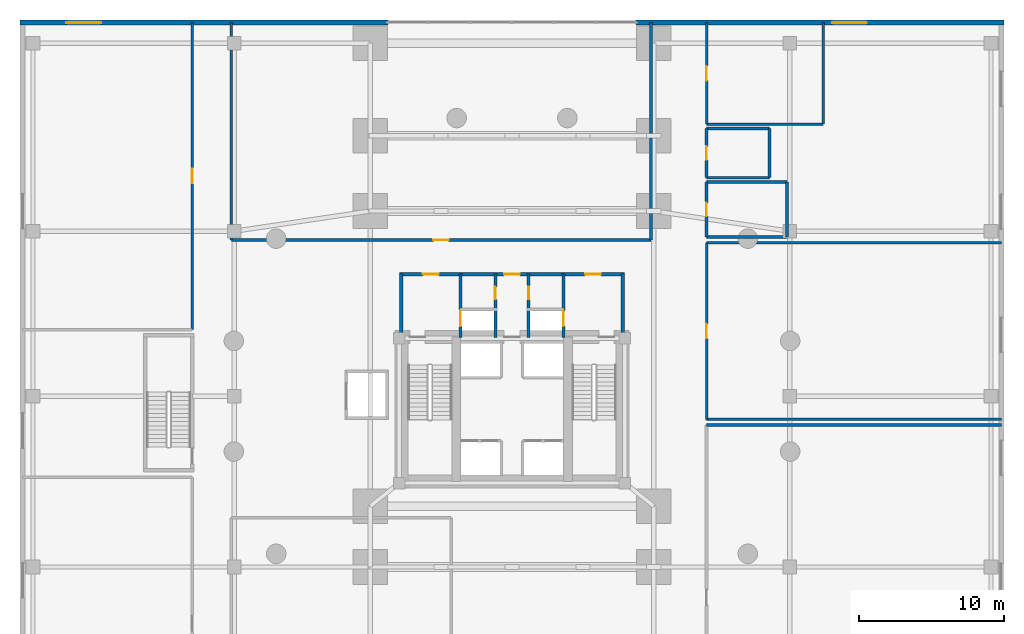
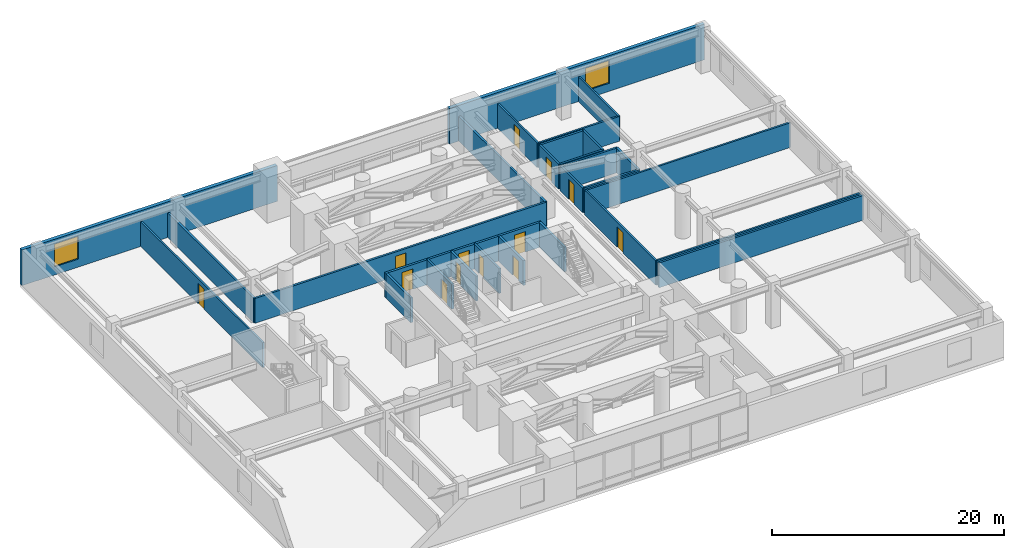
# One storey, part 15 of 17: 30 walls, 13 doors, 2 windows, 15 openings.
"""IFC4 building model written with IfcOpenShell, lengths in metres."""

import ifcopenshell
import ifcopenshell.guid

model = None  # the IFC model being written
_history = None  # IfcOwnerHistory: only IFC2X3 demands one
_inside = {}  # id of a spatial element -> (the spatial element, [elements in it])
_under = {}  # id of a project, library or spatial element -> (it, [spatial elements below it])
_declared = {}  # id of a project -> (the project, [libraries it declares])
_typed = {}  # id of a type object -> (the type object, [elements of that type])
_made_of = {}  # id of a material, layer set ... -> (it, [elements and type objects made of it])


def new_model(schema):
    """Start an empty IFC model of exactly this schema.

    Asked for "IFC4X3", IfcOpenShell would pick the latest addendum, in which some entities
    have other attributes; the version numbers below select the first issue.
    IFC2X3 requires an IfcOwnerHistory on every rooted entity: one is made here for all.
    """
    global model, _history
    if schema == "IFC4X3":
        model = ifcopenshell.file(schema_version=(4, 3, 0, 0))
    else:
        model = ifcopenshell.file(schema=schema)
    _inside.clear()
    _under.clear()
    _declared.clear()
    _typed.clear()
    _made_of.clear()
    _history = None
    if model.schema == "IFC2X3":
        org = make("IfcOrganization", Name="unknown")
        user = make(
            "IfcPersonAndOrganization",
            ThePerson=make("IfcPerson", FamilyName="unknown"),
            TheOrganization=org,
        )
        app = make(
            "IfcApplication",
            ApplicationDeveloper=org,
            Version="unknown",
            ApplicationFullName="unknown",
            ApplicationIdentifier="unknown",
        )
        _history = make(
            "IfcOwnerHistory",
            OwningUser=user,
            OwningApplication=app,
            ChangeAction="ADDED",
            CreationDate=0,
        )
    return model


def make(cls, **values):
    """One entity of the class cls with the attributes given. An attribute that is None is left unset."""
    return model.create_entity(
        cls, **{name: value for name, value in values.items() if value is not None}
    )


def rooted(cls, **values):
    """An entity with a GlobalId (a new one), such as an element, a storey or a relation."""
    return make(cls, GlobalId=ifcopenshell.guid.new(), OwnerHistory=_history, **values)


def si_unit(unit_type, name, prefix=None):
    """IfcSIUnit, for example si_unit("LENGTHUNIT", "METRE", prefix="MILLI")."""
    return make("IfcSIUnit", UnitType=unit_type, Prefix=prefix, Name=name)


def assignment(units):
    """IfcUnitAssignment: the units of a project."""
    return None if units is None else make("IfcUnitAssignment", Units=units)


def point(xyz):
    """IfcCartesianPoint."""
    return None if xyz is None else make("IfcCartesianPoint", Coordinates=xyz)


def direction(xyz):
    """IfcDirection."""
    return None if xyz is None else make("IfcDirection", DirectionRatios=xyz)


def frame(location, z_axis=None, x_axis=None):
    """IfcAxis2Placement3D, a coordinate frame: its origin and axes. An axis left out is left unset."""
    return make(
        "IfcAxis2Placement3D",
        Location=point(location),
        Axis=direction(z_axis),
        RefDirection=direction(x_axis),
    )


def frame_2d(location, x_axis=None):
    """IfcAxis2Placement2D, a coordinate frame in the plane: its origin and x axis."""
    return make(
        "IfcAxis2Placement2D", Location=point(location), RefDirection=direction(x_axis)
    )


def origin():
    """The frame at (0, 0, 0) with its axes left unset."""
    return frame((0.0, 0.0, 0.0))


def place(relative_to, where):
    """IfcLocalPlacement: puts the frame where relative to a parent placement (None: the world)."""
    return make(
        "IfcLocalPlacement", PlacementRelTo=relative_to, RelativePlacement=where
    )


def context(
    kind, dimensions, precision=None, world=None, true_north=None, identifier=None
):
    """IfcGeometricRepresentationContext, for example the 3D "Model" context."""
    return make(
        "IfcGeometricRepresentationContext",
        ContextIdentifier=identifier,
        ContextType=kind,
        CoordinateSpaceDimension=dimensions,
        Precision=precision,
        WorldCoordinateSystem=world,
        TrueNorth=true_north,
    )


def subcontext(parent, identifier, kind, view, scale=None):
    """IfcGeometricRepresentationSubContext, for example "Body" below "Model"."""
    return make(
        "IfcGeometricRepresentationSubContext",
        ContextIdentifier=identifier,
        ContextType=kind,
        ParentContext=parent,
        TargetScale=scale,
        TargetView=view,
    )


def project(units=None, contexts=None):
    """IfcProject with its units and contexts."""
    return rooted(
        "IfcProject",
        Name="project",
        RepresentationContexts=contexts,
        UnitsInContext=assignment(units),
    )


def spatial(cls, under=None, at=None, **own):
    """A site, building, storey or space (cls), placed at a placement, below another one or the project."""
    s = rooted(cls, ObjectPlacement=at, **own)
    if under is not None:
        _under.setdefault(under.id(), (under, []))[1].append(s)
    return s


def profile(cls, at=None, kind="AREA", **sizes):
    """A parametric profile (cls). Its sizes go by their IFC names, for example OverallWidth=200.0."""
    return make(cls, ProfileType=kind, Position=at, **sizes)


def rectangle(**sizes):
    """IfcRectangleProfileDef."""
    return profile("IfcRectangleProfileDef", **sizes)


def extrude(swept, where, along, depth):
    """IfcExtrudedAreaSolid: the profile swept, set in the frame where, extruded along a direction by depth."""
    return make(
        "IfcExtrudedAreaSolid",
        SweptArea=swept,
        Position=where,
        ExtrudedDirection=direction(along),
        Depth=depth,
    )


def shape(context_of_items, identifier, shape_type, items):
    """IfcShapeRepresentation: the items that make up one representation, for example the "Body"."""
    return make(
        "IfcShapeRepresentation",
        ContextOfItems=context_of_items,
        RepresentationIdentifier=identifier,
        RepresentationType=shape_type,
        Items=items,
    )


def material(Name=None, Category=None):
    """IfcMaterial."""
    return make("IfcMaterial", Name=Name, Category=Category)


def layer(
    of_material, thickness, ventilated=None, Name=None, Category=None, Priority=None
):
    """IfcMaterialLayer: one layer of a wall or slab, of a material (None: an air gap)."""
    return make(
        "IfcMaterialLayer",
        Material=of_material,
        LayerThickness=thickness,
        IsVentilated=ventilated,
        Name=Name,
        Category=Category,
        Priority=Priority,
    )


def layer_set(layers, Name=None):
    """IfcMaterialLayerSet."""
    return make("IfcMaterialLayerSet", MaterialLayers=layers, LayerSetName=Name)


def made_of(thing, what):
    """Note that an element or type object is made of a material, layer set ...; save() writes the relation."""
    if what is not None:
        _made_of.setdefault(what.id(), (what, []))[1].append(thing)
    return thing


def type_object(cls, material=None, **own):
    """A type object (cls), such as IfcWallType, which elements share."""
    return made_of(rooted(cls, **own), material)


def element(
    cls,
    number,
    at=None,
    inside=None,
    cuts=None,
    type_object=None,
    material=None,
    context=None,
    identifier="Body",
    shape_type=None,
    held_by="IfcProductDefinitionShape",
    body=None,
    shapes=None,
    **own,
):
    """One element of the class cls, such as IfcWall. Its Tag is "e" and its number.

    at: its placement. inside: the storey or other place that contains it. cuts: it is an
    opening in that element (IfcRelVoidsElement). A single representation is given by context,
    identifier, shape_type and body (its items); several are given by shapes. held_by: the class
    of the entity that holds the representations. save() writes the other relations.
    """
    e = rooted(cls, Tag="e%d" % number, ObjectPlacement=at, **own)
    if body is not None:
        shapes = [shape(context, identifier, shape_type, body)]
    if shapes is not None:
        e.Representation = make(held_by, Representations=shapes)
    if inside is not None:
        _inside.setdefault(inside.id(), (inside, []))[1].append(e)
    if cuts is not None:
        rooted(
            "IfcRelVoidsElement", RelatingBuildingElement=cuts, RelatedOpeningElement=e
        )
    if type_object is not None:
        _typed.setdefault(type_object.id(), (type_object, []))[1].append(e)
    return made_of(e, material)


def fill(opening, filler):
    """IfcRelFillsElement: the door or window that sits in an opening."""
    return rooted(
        "IfcRelFillsElement",
        RelatingOpeningElement=opening,
        RelatedBuildingElement=filler,
    )


def aggregate(whole, parts):
    """IfcRelAggregates: a whole, such as a stair, and the parts it consists of."""
    return rooted("IfcRelAggregates", RelatingObject=whole, RelatedObjects=parts)


def save(model, path):
    """Write the relations noted so far, then the file.

    IfcRelAggregates (storeys below a building ...), IfcRelContainedInSpatialStructure (elements
    in a storey), IfcRelDefinesByType, IfcRelAssociatesMaterial and IfcRelDeclares: one each for
    every whole, place, type object, material and project.
    """
    for whole, parts in _under.values():
        aggregate(whole, parts)
    for where, things in _inside.values():
        rooted(
            "IfcRelContainedInSpatialStructure",
            RelatedElements=things,
            RelatingStructure=where,
        )
    for kind, things in _typed.values():
        rooted("IfcRelDefinesByType", RelatedObjects=things, RelatingType=kind)
    for what, things in _made_of.values():
        rooted("IfcRelAssociatesMaterial", RelatedObjects=things, RelatingMaterial=what)
    for by, libraries in _declared.values():
        rooted("IfcRelDeclares", RelatingContext=by, RelatedDefinitions=libraries)
    model.write(path)


model = new_model("IFC4")

# Units and contexts
model_context = context("Model", 3, precision=1e-05, world=origin(), true_north=direction((0.0, 1.0)))
body_context = subcontext(model_context, "Body", "Model", "MODEL_VIEW")
ifc_project = project(units=[si_unit("LENGTHUNIT", "METRE"), si_unit("AREAUNIT", "SQUARE_METRE"), si_unit("VOLUMEUNIT", "CUBIC_METRE"), si_unit("PLANEANGLEUNIT", "RADIAN"), si_unit("MASSUNIT", "GRAM", prefix="KILO"), si_unit("THERMODYNAMICTEMPERATUREUNIT", "KELVIN"), si_unit("POWERUNIT", "WATT")], contexts=[model_context])

# Site, building, storey
site_placement = place(None, origin())
site = spatial("IfcSite", under=ifc_project, at=site_placement, CompositionType="ELEMENT")
building_placement = place(site_placement, origin())
building = spatial("IfcBuilding", under=site, at=building_placement, Name="Ocrelia Relay Tower", CompositionType="ELEMENT")
storey_placement = place(building_placement, frame((0.0, 0.0, 15.60009765625)))
storey = spatial("IfcBuildingStorey", under=building, at=storey_placement, Name="L03", CompositionType="ELEMENT", Elevation=15.60009765625)

# Wall, opening, door
ifc_material_1 = material(Name="Gypsum Fireboard Partition EI60", Category="gypsum")
ifc_layer_1 = layer(ifc_material_1, 0.179931640625, Name="Gypsum Fireboard Partition EI60")
ifc_layer_set_1 = layer_set([ifc_layer_1], Name="Gypsum Fireboard Partition EI60")
wall_type_1 = type_object("IfcWallType", Name="W-CORR-EI60-180", PredefinedType="PARTITIONING", material=ifc_layer_set_1)
wall_1_placement = place(storey_placement, frame((11.89990234375, 30.60009765625, 0.0), z_axis=(0.0, 0.0, 1.0), x_axis=(0.0, 1.0, 0.0)))
wall_1 = element("IfcWall", 1, at=wall_1_placement, inside=storey, type_object=wall_type_1, Name="L03 Power Systems Engineering Office E Partition", PredefinedType="PARTITIONING", context=body_context, shape_type="SweptSolid", body=[
    extrude(rectangle(XDim=21.219970703125, YDim=0.179931640625, at=frame_2d((10.60986328125, 0.0))), origin(), (0.0, 0.0, 1.0), 2.60986328125),
])
opening_1_placement = place(wall_1_placement, frame((10.110107421875, 0.0, 0.0)))
opening_1 = element("IfcOpeningElement", 2, at=opening_1_placement, cuts=wall_1, Name="Opening D-RM100", PredefinedType="OPENING", context=body_context, shape_type="SweptSolid", body=[
    extrude(rectangle(XDim=1.0, YDim=2.14990234375, at=frame_2d((0.5, 1.074951171875))), frame((0.0, 0.10009765625, 0.0), z_axis=(0.0, -1.0, 0.0), x_axis=(1.0, 0.0, 0.0)), (0.0, 0.0, 1.0), 0.199951171875),
])
ifc_material_2 = material(Name="Acoustic oak veneer fire door", Category="wood")
door_type_1 = type_object("IfcDoorType", Name="DR-ROOM-FD60-1000", OperationType="NOTDEFINED", PredefinedType="DOOR", material=ifc_material_2)
door_1_placement = place(opening_1_placement, origin())
door_1 = element("IfcDoor", 3, at=door_1_placement, inside=storey, type_object=door_type_1, Name="L03 Power Systems Engineering Office Door", OperationType="SINGLE_SWING_RIGHT", OverallHeight=2.14990234375, OverallWidth=1.0, PredefinedType="DOOR", context=body_context, shape_type="SweptSolid", body=[
    extrude(rectangle(XDim=1.0, YDim=2.14990234375, at=frame_2d((0.5, 1.074951171875))), frame((0.0, 0.02490234375, 0.0), z_axis=(0.0, -1.0, 0.0), x_axis=(1.0, 0.0, 0.0)), (0.0, 0.0, 1.0), 0.050048828125),
])
fill(opening_1, door_1)

wall_2_placement = place(storey_placement, frame((47.449951171875, 36.60009765625, 0.0), z_axis=(0.0, 0.0, 1.0), x_axis=(0.0, -1.0, 0.0)))
wall_2 = element("IfcWall", 4, at=wall_2_placement, inside=storey, type_object=wall_type_1, Name="L03 Protection Relay Testing Laboratory W Partition", PredefinedType="PARTITIONING", context=body_context, shape_type="SweptSolid", body=[
    extrude(rectangle(XDim=12.2001953125, YDim=0.179931640625, at=frame_2d((6.10009765625, 0.0))), origin(), (0.0, 0.0, 1.0), 2.60986328125),
])
opening_2_placement = place(wall_2_placement, frame((5.60009765625, 0.0, 0.0)))
opening_2 = element("IfcOpeningElement", 5, at=opening_2_placement, cuts=wall_2, Name="Opening D-RM100", PredefinedType="OPENING", context=body_context, shape_type="SweptSolid", body=[
    extrude(rectangle(XDim=1.0, YDim=2.14990234375, at=frame_2d((0.5, 1.074951171875))), frame((0.0, 0.10009765625, 0.0), z_axis=(0.0, -1.0, 0.0), x_axis=(1.0, 0.0, 0.0)), (0.0, 0.0, 1.0), 0.199951171875),
])
door_2_placement = place(opening_2_placement, origin())
door_2 = element("IfcDoor", 6, at=door_2_placement, inside=storey, type_object=door_type_1, Name="L03 Protection Relay Testing Laboratory Door", OperationType="SINGLE_SWING_RIGHT", OverallHeight=2.14990234375, OverallWidth=1.0, PredefinedType="DOOR", context=body_context, shape_type="SweptSolid", body=[
    extrude(rectangle(XDim=1.0, YDim=2.14990234375, at=frame_2d((0.5, 1.074951171875))), frame((0.0, 0.02490234375, 0.0), z_axis=(0.0, -1.0, 0.0), x_axis=(1.0, 0.0, 0.0)), (0.0, 0.0, 1.0), 0.050048828125),
])
fill(opening_2, door_2)

# Walls
for number, where, z_axis, x_axis, name in (
    (7, (47.449951171875, 24.39990234375, 0.0), (0.0, 0.0, 1.0), (1.0, 0.0, 0.0), "L03 Protection Relay Testing Laboratory S Partition"),
    (8, (67.820068359375, 36.60009765625, 0.0), (0.0, 0.0, 1.0), (-1.0, 0.0, 0.0), "L03 Protection Relay Testing Laboratory N Partition"),
):
    element("IfcWall", number, at=place(storey_placement, frame(where, z_axis=z_axis, x_axis=x_axis)), inside=storey, type_object=wall_type_1, Name=name, PredefinedType="PARTITIONING", context=body_context, shape_type="SweptSolid", body=[
        extrude(rectangle(XDim=20.3701171875, YDim=0.179931640625, at=frame_2d((10.18505859375, 0.0))), origin(), (0.0, 0.0, 1.0), 2.60986328125),
    ])

# Wall, opening, door
wall_3_placement = place(storey_placement, frame((47.449951171875, 51.820068359375, 0.0), z_axis=(0.0, 0.0, 1.0), x_axis=(0.0, -1.0, 0.0)))
wall_3 = element("IfcWall", 9, at=wall_3_placement, inside=storey, type_object=wall_type_1, Name="L03 Engineering Break Study W Partition", PredefinedType="PARTITIONING", context=body_context, shape_type="SweptSolid", body=[
    extrude(rectangle(XDim=7.02001953125, YDim=0.179931640625, at=frame_2d((3.510009765625, 0.0))), origin(), (0.0, 0.0, 1.0), 2.60986328125),
])
opening_3_placement = place(wall_3_placement, frame((3.010009765625, 0.0, 0.0)))
opening_3 = element("IfcOpeningElement", 10, at=opening_3_placement, cuts=wall_3, Name="Opening D-RM100", PredefinedType="OPENING", context=body_context, shape_type="SweptSolid", body=[
    extrude(rectangle(XDim=1.0, YDim=2.14990234375, at=frame_2d((0.5, 1.074951171875))), frame((0.0, 0.10009765625, 0.0), z_axis=(0.0, -1.0, 0.0), x_axis=(1.0, 0.0, 0.0)), (0.0, 0.0, 1.0), 0.199951171875),
])
door_3_placement = place(opening_3_placement, origin())
door_3 = element("IfcDoor", 11, at=door_3_placement, inside=storey, type_object=door_type_1, Name="L03 Engineering Break Study Door", OperationType="SINGLE_SWING_LEFT", OverallHeight=2.14990234375, OverallWidth=1.0, PredefinedType="DOOR", context=body_context, shape_type="SweptSolid", body=[
    extrude(rectangle(XDim=1.0, YDim=2.14990234375, at=frame_2d((0.5, 1.074951171875))), frame((0.0, 0.02490234375, 0.0), z_axis=(0.0, -1.0, 0.0), x_axis=(1.0, 0.0, 0.0)), (0.0, 0.0, 1.0), 0.050048828125),
])
fill(opening_3, door_3)

# Walls
wall_4_placement = place(storey_placement, frame((47.449951171875, 44.800048828125, 0.0), z_axis=(0.0, 0.0, 1.0), x_axis=(1.0, 0.0, 0.0)))
element("IfcWall", 12, at=wall_4_placement, inside=storey, type_object=wall_type_1, Name="L03 Engineering Break Study S Partition", PredefinedType="PARTITIONING", context=body_context, shape_type="SweptSolid", body=[
    extrude(rectangle(XDim=8.050048828125, YDim=0.179931640625, at=frame_2d((4.02490234375, 0.0))), origin(), (0.0, 0.0, 1.0), 2.60986328125),
])
wall_5_placement = place(storey_placement, frame((55.5, 44.800048828125, 0.0), z_axis=(0.0, 0.0, 1.0), x_axis=(0.0, 1.0, 0.0)))
element("IfcWall", 13, at=wall_5_placement, inside=storey, type_object=wall_type_1, Name="L03 Engineering Break Study E Partition", PredefinedType="PARTITIONING", context=body_context, shape_type="SweptSolid", body=[
    extrude(rectangle(XDim=7.02001953125, YDim=0.179931640625, at=frame_2d((3.510009765625, 0.0))), origin(), (0.0, 0.0, 1.0), 2.60986328125),
])

# Wall, opening, window
ifc_material_3 = material(Name="Precast concrete C40/50 with oxide terracotta", Category="masonry")
ifc_layer_2 = layer(ifc_material_3, 0.35009765625, Name="Precast concrete C40/50 with oxide terracotta")
ifc_layer_set_2 = layer_set([ifc_layer_2], Name="Precast concrete C40/50 with oxide terracotta")
wall_type_2 = type_object("IfcWallType", Name="W-EXT-POD-350", PredefinedType="SOLIDWALL", material=ifc_layer_set_2)
wall_6_placement = place(storey_placement, frame((0.010009765625, 51.820068359375, 0.0), z_axis=(0.0, 0.0, 1.0), x_axis=(1.0, 0.0, 0.0)))
wall_6 = element("IfcWall", 14, at=wall_6_placement, inside=storey, type_object=wall_type_2, Name="L03 Oxide Terracotta Podium Wall WN", PredefinedType="SOLIDWALL", context=body_context, shape_type="SweptSolid", body=[
    extrude(rectangle(XDim=25.419921875, YDim=0.35009765625, at=frame_2d((12.7099609375, 0.0))), origin(), (0.0, 0.0, 1.0), 3.760009765625),
])
opening_4_placement = place(wall_6_placement, frame((3.199951171875, 0.0, 0.85009765625)))
opening_4 = element("IfcOpeningElement", 15, at=opening_4_placement, cuts=wall_6, Name="Opening W-01", PredefinedType="OPENING", context=body_context, shape_type="SweptSolid", body=[
    extrude(rectangle(XDim=2.39990234375, YDim=2.39990234375, at=frame_2d((1.199951171875, 1.199951171875))), frame((0.0, 0.18505859375, 0.0), z_axis=(0.0, -1.0, 0.0), x_axis=(1.0, 0.0, 0.0)), (0.0, 0.0, 1.0), 0.3701171875),
])
ifc_material_4 = material(Name="Clear double-glazed low-E glass", Category="glass")
window_type = type_object("IfcWindowType", Name="WIN-POD-2400x2600", PartitioningType="SINGLE_PANEL", PredefinedType="WINDOW", material=ifc_material_4)
window_1_placement = place(opening_4_placement, origin())
window_1 = element("IfcWindow", 16, at=window_1_placement, inside=storey, type_object=window_type, Name="L03 Podium Punched Window WN-1", OverallHeight=2.39990234375, OverallWidth=2.39990234375, PartitioningType="SINGLE_PANEL", PredefinedType="WINDOW", context=body_context, shape_type="SweptSolid", body=[
    extrude(rectangle(XDim=2.39990234375, YDim=2.39990234375, at=frame_2d((1.199951171875, 1.199951171875))), frame((0.0, 0.030029296875, 0.0), z_axis=(0.0, -1.0, 0.0), x_axis=(1.0, 0.0, 0.0)), (0.0, 0.0, 1.0), 0.06005859375),
])
fill(opening_4, window_1)

wall_7_placement = place(storey_placement, frame((42.570068359375, 51.820068359375, 0.0), z_axis=(0.0, 0.0, 1.0), x_axis=(1.0, 0.0, 0.0)))
wall_7 = element("IfcWall", 17, at=wall_7_placement, inside=storey, type_object=wall_type_2, Name="L03 Oxide Terracotta Podium Wall EN", PredefinedType="SOLIDWALL", context=body_context, shape_type="SweptSolid", body=[
    extrude(rectangle(XDim=25.419921875, YDim=0.35009765625, at=frame_2d((12.7099609375, 0.0))), origin(), (0.0, 0.0, 1.0), 3.760009765625),
])
opening_5_placement = place(wall_7_placement, frame((13.550048828125, 0.0, 0.85009765625)))
opening_5 = element("IfcOpeningElement", 18, at=opening_5_placement, cuts=wall_7, Name="Opening W-01", PredefinedType="OPENING", context=body_context, shape_type="SweptSolid", body=[
    extrude(rectangle(XDim=2.39990234375, YDim=2.39990234375, at=frame_2d((1.199951171875, 1.199951171875))), frame((0.0, 0.18505859375, 0.0), z_axis=(0.0, -1.0, 0.0), x_axis=(1.0, 0.0, 0.0)), (0.0, 0.0, 1.0), 0.3701171875),
])
window_2_placement = place(opening_5_placement, origin())
window_2 = element("IfcWindow", 19, at=window_2_placement, inside=storey, type_object=window_type, Name="L03 Podium Punched Window EN-2", OverallHeight=2.39990234375, OverallWidth=2.39990234375, PartitioningType="SINGLE_PANEL", PredefinedType="WINDOW", context=body_context, shape_type="SweptSolid", body=[
    extrude(rectangle(XDim=2.39990234375, YDim=2.39990234375, at=frame_2d((1.199951171875, 1.199951171875))), frame((0.0, 0.030029296875, 0.0), z_axis=(0.0, -1.0, 0.0), x_axis=(1.0, 0.0, 0.0)), (0.0, 0.0, 1.0), 0.06005859375),
])
fill(opening_5, window_2)

# Wall
ifc_material_5 = material(Name="Concrete C50/60", Category="concrete")
ifc_layer_3 = layer(ifc_material_5, 0.219970703125, Name="Concrete C50/60")
ifc_layer_set_3 = layer_set([ifc_layer_3], Name="Concrete C50/60")
wall_type_3 = type_object("IfcWallType", Name="W-FFL-EI120-220", PredefinedType="SOLIDWALL", material=ifc_layer_set_3)
wall_8_placement = place(storey_placement, frame((26.35009765625, 30.050048828125, 0.0), z_axis=(0.0, 0.0, 1.0), x_axis=(0.0, 1.0, 0.0)))
element("IfcWall", 20, at=wall_8_placement, inside=storey, type_object=wall_type_3, Name="L03 W Fire Service Lift Lobby West Wall", PredefinedType="SOLIDWALL", context=body_context, shape_type="SweptSolid", body=[
    extrude(rectangle(XDim=4.3798828125, YDim=0.219970703125, at=frame_2d((2.18994140625, 0.0))), origin(), (0.0, 0.0, 1.0), 2.60986328125),
])

# Wall, opening, door
wall_9_placement = place(storey_placement, frame((30.43994140625, 30.050048828125, 0.0), z_axis=(0.0, 0.0, 1.0), x_axis=(0.0, 1.0, 0.0)))
wall_9 = element("IfcWall", 21, at=wall_9_placement, inside=storey, type_object=wall_type_3, Name="L03 W Fire Service Lift Lobby East Wall", PredefinedType="SOLIDWALL", context=body_context, shape_type="SweptSolid", body=[
    extrude(rectangle(XDim=4.3798828125, YDim=0.219970703125, at=frame_2d((2.18994140625, 0.0))), origin(), (0.0, 0.0, 1.0), 2.60986328125),
])
opening_6_placement = place(wall_9_placement, frame((0.800048828125, 0.0, 0.0)))
opening_6 = element("IfcOpeningElement", 22, at=opening_6_placement, cuts=wall_9, Name="Opening LD-FFL1", PredefinedType="OPENING", context=body_context, shape_type="SweptSolid", body=[
    extrude(rectangle(XDim=1.050048828125, YDim=2.10009765625, at=frame_2d((0.52490234375, 1.050048828125))), frame((0.0, 0.1201171875, 0.0), z_axis=(0.0, -1.0, 0.0), x_axis=(1.0, 0.0, 0.0)), (0.0, 0.0, 1.0), 0.239990234375),
])
ifc_material_6 = material(Name="Brushed stainless steel S355 lift landing door", Category="steel")
door_type_2 = type_object("IfcDoorType", Name="DR-LIFT-LAND-1050", OperationType="DOUBLE_DOOR_SLIDING", PredefinedType="USERDEFINED", material=ifc_material_6)
door_4_placement = place(opening_6_placement, origin())
door_4 = element("IfcDoor", 23, at=door_4_placement, inside=storey, type_object=door_type_2, Name="L03 Firefighting Lift FFL1 Sliding Landing Door", ObjectType="LANDING DOOR", OperationType="DOUBLE_DOOR_SLIDING", OverallHeight=2.10009765625, OverallWidth=1.050048828125, PredefinedType="USERDEFINED", context=body_context, shape_type="SweptSolid", body=[
    extrude(rectangle(XDim=1.050048828125, YDim=2.10009765625, at=frame_2d((0.52490234375, 1.050048828125))), frame((0.0, 0.02490234375, 0.0), z_axis=(0.0, -1.0, 0.0), x_axis=(1.0, 0.0, 0.0)), (0.0, 0.0, 1.0), 0.050048828125),
])
fill(opening_6, door_4)

wall_10_placement = place(storey_placement, frame((26.239990234375, 34.429931640625, 0.0), z_axis=(0.0, 0.0, 1.0), x_axis=(1.0, 0.0, 0.0)))
wall_10 = element("IfcWall", 24, at=wall_10_placement, inside=storey, type_object=wall_type_3, Name="L03 W Fire Service Lift Lobby North Wall", PredefinedType="SOLIDWALL", context=body_context, shape_type="SweptSolid", body=[
    extrude(rectangle(XDim=4.31005859375, YDim=0.219970703125, at=frame_2d((2.155029296875, 0.0))), origin(), (0.0, 0.0, 1.0), 2.60986328125),
])
opening_7_placement = place(wall_10_placement, frame((1.60009765625, 0.0, 0.0)))
opening_7 = element("IfcOpeningElement", 25, at=opening_7_placement, cuts=wall_10, Name="Opening D-FD60", PredefinedType="OPENING", context=body_context, shape_type="SweptSolid", body=[
    extrude(rectangle(XDim=1.10009765625, YDim=2.14990234375, at=frame_2d((0.550048828125, 1.074951171875))), frame((0.0, 0.1201171875, 0.0), z_axis=(0.0, -1.0, 0.0), x_axis=(1.0, 0.0, 0.0)), (0.0, 0.0, 1.0), 0.239990234375),
])
ifc_material_7 = material(Name="Timber-core 60-min acoustic fire door", Category="wood")
door_type_3 = type_object("IfcDoorType", Name="DR-LOBBY-FD60-1100", OperationType="NOTDEFINED", PredefinedType="DOOR", material=ifc_material_7)
door_5_placement = place(opening_7_placement, origin())
door_5 = element("IfcDoor", 26, at=door_5_placement, inside=storey, type_object=door_type_3, Name="L03 W Fire Service Lift Lobby Exit Door", OperationType="SINGLE_SWING_LEFT", OverallHeight=2.14990234375, OverallWidth=1.10009765625, PredefinedType="DOOR", context=body_context, shape_type="SweptSolid", body=[
    extrude(rectangle(XDim=1.10009765625, YDim=2.14990234375, at=frame_2d((0.550048828125, 1.074951171875))), frame((0.0, 0.02490234375, 0.0), z_axis=(0.0, -1.0, 0.0), x_axis=(1.0, 0.0, 0.0)), (0.0, 0.0, 1.0), 0.050048828125),
])
fill(opening_7, door_5)

wall_11_placement = place(storey_placement, frame((37.56005859375, 30.050048828125, 0.0), z_axis=(0.0, 0.0, 1.0), x_axis=(0.0, 1.0, 0.0)))
wall_11 = element("IfcWall", 27, at=wall_11_placement, inside=storey, type_object=wall_type_3, Name="L03 E Fire Service Lift Lobby West Wall", PredefinedType="SOLIDWALL", context=body_context, shape_type="SweptSolid", body=[
    extrude(rectangle(XDim=4.3798828125, YDim=0.219970703125, at=frame_2d((2.18994140625, 0.0))), origin(), (0.0, 0.0, 1.0), 2.60986328125),
])
opening_8_placement = place(wall_11_placement, frame((0.800048828125, 0.0, 0.0)))
opening_8 = element("IfcOpeningElement", 28, at=opening_8_placement, cuts=wall_11, Name="Opening LD-FFL2", PredefinedType="OPENING", context=body_context, shape_type="SweptSolid", body=[
    extrude(rectangle(XDim=1.050048828125, YDim=2.10009765625, at=frame_2d((0.52490234375, 1.050048828125))), frame((0.0, 0.1201171875, 0.0), z_axis=(0.0, -1.0, 0.0), x_axis=(1.0, 0.0, 0.0)), (0.0, 0.0, 1.0), 0.239990234375),
])
door_6_placement = place(opening_8_placement, origin())
door_6 = element("IfcDoor", 29, at=door_6_placement, inside=storey, type_object=door_type_2, Name="L03 Firefighting Lift FFL2 Sliding Landing Door", ObjectType="LANDING DOOR", OperationType="DOUBLE_DOOR_SLIDING", OverallHeight=2.10009765625, OverallWidth=1.050048828125, PredefinedType="USERDEFINED", context=body_context, shape_type="SweptSolid", body=[
    extrude(rectangle(XDim=1.050048828125, YDim=2.10009765625, at=frame_2d((0.52490234375, 1.050048828125))), frame((0.0, 0.02490234375, 0.0), z_axis=(0.0, -1.0, 0.0), x_axis=(1.0, 0.0, 0.0)), (0.0, 0.0, 1.0), 0.050048828125),
])
fill(opening_8, door_6)

# Wall
wall_12_placement = place(storey_placement, frame((41.64990234375, 30.050048828125, 0.0), z_axis=(0.0, 0.0, 1.0), x_axis=(0.0, 1.0, 0.0)))
element("IfcWall", 30, at=wall_12_placement, inside=storey, type_object=wall_type_3, Name="L03 E Fire Service Lift Lobby East Wall", PredefinedType="SOLIDWALL", context=body_context, shape_type="SweptSolid", body=[
    extrude(rectangle(XDim=4.3798828125, YDim=0.219970703125, at=frame_2d((2.18994140625, 0.0))), origin(), (0.0, 0.0, 1.0), 2.60986328125),
])

# Wall, opening, door
wall_13_placement = place(storey_placement, frame((37.449951171875, 34.429931640625, 0.0), z_axis=(0.0, 0.0, 1.0), x_axis=(1.0, 0.0, 0.0)))
wall_13 = element("IfcWall", 31, at=wall_13_placement, inside=storey, type_object=wall_type_3, Name="L03 E Fire Service Lift Lobby North Wall", PredefinedType="SOLIDWALL", context=body_context, shape_type="SweptSolid", body=[
    extrude(rectangle(XDim=4.31005859375, YDim=0.219970703125, at=frame_2d((2.155029296875, 0.0))), origin(), (0.0, 0.0, 1.0), 2.60986328125),
])
opening_9_placement = place(wall_13_placement, frame((1.60009765625, 0.0, 0.0)))
opening_9 = element("IfcOpeningElement", 32, at=opening_9_placement, cuts=wall_13, Name="Opening D-FD60", PredefinedType="OPENING", context=body_context, shape_type="SweptSolid", body=[
    extrude(rectangle(XDim=1.10009765625, YDim=2.14990234375, at=frame_2d((0.550048828125, 1.074951171875))), frame((0.0, 0.1201171875, 0.0), z_axis=(0.0, -1.0, 0.0), x_axis=(1.0, 0.0, 0.0)), (0.0, 0.0, 1.0), 0.239990234375),
])
door_7_placement = place(opening_9_placement, origin())
door_7 = element("IfcDoor", 33, at=door_7_placement, inside=storey, type_object=door_type_3, Name="L03 E Fire Service Lift Lobby Exit Door", OperationType="SINGLE_SWING_LEFT", OverallHeight=2.14990234375, OverallWidth=1.10009765625, PredefinedType="DOOR", context=body_context, shape_type="SweptSolid", body=[
    extrude(rectangle(XDim=1.10009765625, YDim=2.14990234375, at=frame_2d((0.550048828125, 1.074951171875))), frame((0.0, 0.02490234375, 0.0), z_axis=(0.0, -1.0, 0.0), x_axis=(1.0, 0.0, 0.0)), (0.0, 0.0, 1.0), 0.050048828125),
])
fill(opening_9, door_7)

wall_14_placement = place(storey_placement, frame((30.43994140625, 34.429931640625, 0.0), z_axis=(0.0, 0.0, 1.0), x_axis=(1.0, 0.0, 0.0)))
wall_14 = element("IfcWall", 34, at=wall_14_placement, inside=storey, type_object=wall_type_3, Name="L03 North Core Vestibule Wall", PredefinedType="SOLIDWALL", context=body_context, shape_type="SweptSolid", body=[
    extrude(rectangle(XDim=7.1201171875, YDim=0.219970703125, at=frame_2d((3.56005859375, 0.0))), origin(), (0.0, 0.0, 1.0), 2.60986328125),
])
opening_10_placement = place(wall_14_placement, frame((3.010009765625, 0.0, 0.0)))
opening_10 = element("IfcOpeningElement", 35, at=opening_10_placement, cuts=wall_14, Name="Opening D-FD60", PredefinedType="OPENING", context=body_context, shape_type="SweptSolid", body=[
    extrude(rectangle(XDim=1.10009765625, YDim=2.14990234375, at=frame_2d((0.550048828125, 1.074951171875))), frame((0.0, 0.1201171875, 0.0), z_axis=(0.0, -1.0, 0.0), x_axis=(1.0, 0.0, 0.0)), (0.0, 0.0, 1.0), 0.239990234375),
])
door_8_placement = place(opening_10_placement, origin())
door_8 = element("IfcDoor", 36, at=door_8_placement, inside=storey, type_object=door_type_3, Name="L03 North Core Vestibule Corridor Door", OperationType="SINGLE_SWING_LEFT", OverallHeight=2.14990234375, OverallWidth=1.10009765625, PredefinedType="DOOR", context=body_context, shape_type="SweptSolid", body=[
    extrude(rectangle(XDim=1.10009765625, YDim=2.14990234375, at=frame_2d((0.550048828125, 1.074951171875))), frame((0.0, 0.02490234375, 0.0), z_axis=(0.0, -1.0, 0.0), x_axis=(1.0, 0.0, 0.0)), (0.0, 0.0, 1.0), 0.050048828125),
])
fill(opening_10, door_8)

ifc_material_8 = material(Name="Moisture-Resistant Fireboard Chase Wall EI60", Category="gypsum")
ifc_layer_4 = layer(ifc_material_8, 0.199951171875, Name="Moisture-Resistant Fireboard Chase Wall EI60")
ifc_layer_set_4 = layer_set([ifc_layer_4], Name="Moisture-Resistant Fireboard Chase Wall EI60")
wall_type_4 = type_object("IfcWallType", Name="W-PLUMB-200", PredefinedType="PLUMBINGWALL", material=ifc_layer_set_4)
wall_15_placement = place(storey_placement, frame((47.449951171875, 40.800048828125, 0.0), z_axis=(0.0, 0.0, 1.0), x_axis=(0.0, -1.0, 0.0)))
wall_15 = element("IfcWall", 37, at=wall_15_placement, inside=storey, type_object=wall_type_4, Name="L03 Staff Toilet W Partition", PredefinedType="PLUMBINGWALL", context=body_context, shape_type="SweptSolid", body=[
    extrude(rectangle(XDim=3.800048828125, YDim=0.199951171875, at=frame_2d((1.89990234375, 0.0))), origin(), (0.0, 0.0, 1.0), 2.60986328125),
])
opening_11_placement = place(wall_15_placement, frame((1.43994140625, 0.0, 0.0)))
opening_11 = element("IfcOpeningElement", 38, at=opening_11_placement, cuts=wall_15, Name="Opening D-WC92", PredefinedType="OPENING", context=body_context, shape_type="SweptSolid", body=[
    extrude(rectangle(XDim=0.919921875, YDim=2.10009765625, at=frame_2d((0.4599609375, 1.050048828125))), frame((0.0, 0.10986328125, 0.0), z_axis=(0.0, -1.0, 0.0), x_axis=(1.0, 0.0, 0.0)), (0.0, 0.0, 1.0), 0.219970703125),
])
ifc_material_9 = material(Name="Laminate washroom door", Category="wood")
door_type_4 = type_object("IfcDoorType", Name="DR-WC-920", OperationType="NOTDEFINED", PredefinedType="DOOR", material=ifc_material_9)
door_9_placement = place(opening_11_placement, origin())
door_9 = element("IfcDoor", 39, at=door_9_placement, inside=storey, type_object=door_type_4, Name="L03 Staff Toilet Door", OperationType="SINGLE_SWING_LEFT", OverallHeight=2.10009765625, OverallWidth=0.919921875, PredefinedType="DOOR", context=body_context, shape_type="SweptSolid", body=[
    extrude(rectangle(XDim=0.919921875, YDim=2.10009765625, at=frame_2d((0.4599609375, 1.050048828125))), frame((0.0, 0.02490234375, 0.0), z_axis=(0.0, -1.0, 0.0), x_axis=(1.0, 0.0, 0.0)), (0.0, 0.0, 1.0), 0.050048828125),
])
fill(opening_11, door_9)

# Walls
wall_16_placement = place(storey_placement, frame((47.449951171875, 37.0, 0.0), z_axis=(0.0, 0.0, 1.0), x_axis=(1.0, 0.0, 0.0)))
element("IfcWall", 40, at=wall_16_placement, inside=storey, type_object=wall_type_4, Name="L03 Staff Toilet S Partition", PredefinedType="PLUMBINGWALL", context=body_context, shape_type="SweptSolid", body=[
    extrude(rectangle(XDim=5.550048828125, YDim=0.199951171875, at=frame_2d((2.77490234375, 0.0))), origin(), (0.0, 0.0, 1.0), 2.60986328125),
])
wall_17_placement = place(storey_placement, frame((53.0, 37.0, 0.0), z_axis=(0.0, 0.0, 1.0), x_axis=(0.0, 1.0, 0.0)))
element("IfcWall", 41, at=wall_17_placement, inside=storey, type_object=wall_type_4, Name="L03 Staff Toilet E Partition", PredefinedType="PLUMBINGWALL", context=body_context, shape_type="SweptSolid", body=[
    extrude(rectangle(XDim=3.800048828125, YDim=0.199951171875, at=frame_2d((1.89990234375, 0.0))), origin(), (0.0, 0.0, 1.0), 2.60986328125),
])
wall_18_placement = place(storey_placement, frame((53.0, 40.800048828125, 0.0), z_axis=(0.0, 0.0, 1.0), x_axis=(-1.0, 0.0, 0.0)))
element("IfcWall", 42, at=wall_18_placement, inside=storey, type_object=wall_type_4, Name="L03 Staff Toilet N Partition", PredefinedType="PLUMBINGWALL", context=body_context, shape_type="SweptSolid", body=[
    extrude(rectangle(XDim=5.550048828125, YDim=0.199951171875, at=frame_2d((2.77490234375, 0.0))), origin(), (0.0, 0.0, 1.0), 2.60986328125),
])

# Wall, opening, door
wall_19_placement = place(storey_placement, frame((47.449951171875, 44.5, 0.0), z_axis=(0.0, 0.0, 1.0), x_axis=(0.0, -1.0, 0.0)))
wall_19 = element("IfcWall", 43, at=wall_19_placement, inside=storey, type_object=wall_type_4, Name="L03 Accessible Toilet W Partition", PredefinedType="PLUMBINGWALL", context=body_context, shape_type="SweptSolid", body=[
    extrude(rectangle(XDim=3.39990234375, YDim=0.199951171875, at=frame_2d((1.699951171875, 0.0))), origin(), (0.0, 0.0, 1.0), 2.60986328125),
])
opening_12_placement = place(wall_19_placement, frame((1.239990234375, 0.0, 0.0)))
opening_12 = element("IfcOpeningElement", 44, at=opening_12_placement, cuts=wall_19, Name="Opening D-WC92", PredefinedType="OPENING", context=body_context, shape_type="SweptSolid", body=[
    extrude(rectangle(XDim=0.919921875, YDim=2.10009765625, at=frame_2d((0.4599609375, 1.050048828125))), frame((0.0, 0.10986328125, 0.0), z_axis=(0.0, -1.0, 0.0), x_axis=(1.0, 0.0, 0.0)), (0.0, 0.0, 1.0), 0.219970703125),
])
door_10_placement = place(opening_12_placement, origin())
door_10 = element("IfcDoor", 45, at=door_10_placement, inside=storey, type_object=door_type_4, Name="L03 Accessible Toilet Door", OperationType="SINGLE_SWING_RIGHT", OverallHeight=2.10009765625, OverallWidth=0.919921875, PredefinedType="DOOR", context=body_context, shape_type="SweptSolid", body=[
    extrude(rectangle(XDim=0.919921875, YDim=2.10009765625, at=frame_2d((0.4599609375, 1.050048828125))), frame((0.0, 0.02490234375, 0.0), z_axis=(0.0, -1.0, 0.0), x_axis=(1.0, 0.0, 0.0)), (0.0, 0.0, 1.0), 0.050048828125),
])
fill(opening_12, door_10)

# Walls
wall_20_placement = place(storey_placement, frame((47.449951171875, 41.10009765625, 0.0), z_axis=(0.0, 0.0, 1.0), x_axis=(1.0, 0.0, 0.0)))
element("IfcWall", 46, at=wall_20_placement, inside=storey, type_object=wall_type_4, Name="L03 Accessible Toilet S Partition", PredefinedType="PLUMBINGWALL", context=body_context, shape_type="SweptSolid", body=[
    extrude(rectangle(XDim=4.35009765625, YDim=0.199951171875, at=frame_2d((2.175048828125, 0.0))), origin(), (0.0, 0.0, 1.0), 2.60986328125),
])
wall_21_placement = place(storey_placement, frame((51.800048828125, 41.10009765625, 0.0), z_axis=(0.0, 0.0, 1.0), x_axis=(0.0, 1.0, 0.0)))
element("IfcWall", 47, at=wall_21_placement, inside=storey, type_object=wall_type_4, Name="L03 Accessible Toilet E Partition", PredefinedType="PLUMBINGWALL", context=body_context, shape_type="SweptSolid", body=[
    extrude(rectangle(XDim=3.39990234375, YDim=0.199951171875, at=frame_2d((1.699951171875, 0.0))), origin(), (0.0, 0.0, 1.0), 2.60986328125),
])
wall_22_placement = place(storey_placement, frame((51.800048828125, 44.5, 0.0), z_axis=(0.0, 0.0, 1.0), x_axis=(-1.0, 0.0, 0.0)))
element("IfcWall", 48, at=wall_22_placement, inside=storey, type_object=wall_type_4, Name="L03 Accessible Toilet N Partition", PredefinedType="PLUMBINGWALL", context=body_context, shape_type="SweptSolid", body=[
    extrude(rectangle(XDim=4.35009765625, YDim=0.199951171875, at=frame_2d((2.175048828125, 0.0))), origin(), (0.0, 0.0, 1.0), 2.60986328125),
])

# Wall, opening, door
ifc_layer_5 = layer(ifc_material_5, 0.199951171875, Name="Concrete C50/60")
ifc_layer_set_5 = layer_set([ifc_layer_5], Name="Concrete C50/60")
wall_type_5 = type_object("IfcWallType", Name="W-SHAFT-EI120-200", PredefinedType="SOLIDWALL", material=ifc_layer_set_5)
wall_23_placement = place(storey_placement, frame((32.85009765625, 30.050048828125, 0.0), z_axis=(0.0, 0.0, 1.0), x_axis=(0.0, 1.0, 0.0)))
wall_23 = element("IfcWall", 49, at=wall_23_placement, inside=storey, type_object=wall_type_5, Name="L03 FFL1 and Service Vestibule Wall", PredefinedType="SOLIDWALL", context=body_context, shape_type="SweptSolid", body=[
    extrude(rectangle(XDim=4.3798828125, YDim=0.199951171875, at=frame_2d((2.18994140625, 0.0))), origin(), (0.0, 0.0, 1.0), 2.60986328125),
])
opening_13_placement = place(wall_23_placement, frame((2.64990234375, 0.0, 0.0)))
opening_13 = element("IfcOpeningElement", 50, at=opening_13_placement, cuts=wall_23, Name="Opening D-RS86", PredefinedType="OPENING", context=body_context, shape_type="SweptSolid", body=[
    extrude(rectangle(XDim=0.860107421875, YDim=2.050048828125, at=frame_2d((0.43017578125, 1.02490234375))), frame((0.0, 0.10986328125, 0.0), z_axis=(0.0, -1.0, 0.0), x_axis=(1.0, 0.0, 0.0)), (0.0, 0.0, 1.0), 0.219970703125),
])
ifc_material_10 = material(Name="Steel S355 riser access fire door", Category="steel")
door_type_5 = type_object("IfcDoorType", Name="DR-RISER-TRAP-860", OperationType="NOTDEFINED", PredefinedType="TRAPDOOR", material=ifc_material_10)
door_11_placement = place(opening_13_placement, origin())
door_11 = element("IfcDoor", 51, at=door_11_placement, inside=storey, type_object=door_type_5, Name="L03 Core Support Room W Door", OperationType="SINGLE_SWING_RIGHT", OverallHeight=2.050048828125, OverallWidth=0.860107421875, PredefinedType="TRAPDOOR", context=body_context, shape_type="SweptSolid", body=[
    extrude(rectangle(XDim=0.860107421875, YDim=2.050048828125, at=frame_2d((0.43017578125, 1.02490234375))), frame((0.0, 0.02490234375, 0.0), z_axis=(0.0, -1.0, 0.0), x_axis=(1.0, 0.0, 0.0)), (0.0, 0.0, 1.0), 0.050048828125),
])
fill(opening_13, door_11)

wall_24_placement = place(storey_placement, frame((35.14990234375, 30.050048828125, 0.0), z_axis=(0.0, 0.0, 1.0), x_axis=(0.0, 1.0, 0.0)))
wall_24 = element("IfcWall", 52, at=wall_24_placement, inside=storey, type_object=wall_type_5, Name="L03 FFL2 and Service Vestibule Wall", PredefinedType="SOLIDWALL", context=body_context, shape_type="SweptSolid", body=[
    extrude(rectangle(XDim=4.3798828125, YDim=0.199951171875, at=frame_2d((2.18994140625, 0.0))), origin(), (0.0, 0.0, 1.0), 2.60986328125),
])
opening_14_placement = place(wall_24_placement, frame((2.64990234375, 0.0, 0.0)))
opening_14 = element("IfcOpeningElement", 53, at=opening_14_placement, cuts=wall_24, Name="Opening D-RS86", PredefinedType="OPENING", context=body_context, shape_type="SweptSolid", body=[
    extrude(rectangle(XDim=0.860107421875, YDim=2.050048828125, at=frame_2d((0.43017578125, 1.02490234375))), frame((0.0, 0.10986328125, 0.0), z_axis=(0.0, -1.0, 0.0), x_axis=(1.0, 0.0, 0.0)), (0.0, 0.0, 1.0), 0.219970703125),
])
door_12_placement = place(opening_14_placement, origin())
door_12 = element("IfcDoor", 54, at=door_12_placement, inside=storey, type_object=door_type_5, Name="L03 Core Support Room E Door", OperationType="SINGLE_SWING_RIGHT", OverallHeight=2.050048828125, OverallWidth=0.860107421875, PredefinedType="TRAPDOOR", context=body_context, shape_type="SweptSolid", body=[
    extrude(rectangle(XDim=0.860107421875, YDim=2.050048828125, at=frame_2d((0.43017578125, 1.02490234375))), frame((0.0, 0.02490234375, 0.0), z_axis=(0.0, -1.0, 0.0), x_axis=(1.0, 0.0, 0.0)), (0.0, 0.0, 1.0), 0.050048828125),
])
fill(opening_14, door_12)

wall_25_placement = place(storey_placement, frame((14.60009765625, 36.800048828125, 0.0), z_axis=(0.0, 0.0, 1.0), x_axis=(1.0, 0.0, 0.0)))
wall_25 = element("IfcWall", 55, at=wall_25_placement, inside=storey, type_object=wall_type_5, Name="L03 North Transfer Truss Plant Room S Partition", PredefinedType="SOLIDWALL", context=body_context, shape_type="SweptSolid", body=[
    extrude(rectangle(XDim=29.0, YDim=0.199951171875, at=frame_2d((14.5, 0.0))), origin(), (0.0, 0.0, 1.0), 2.60986328125),
])
opening_15_placement = place(wall_25_placement, frame((13.97509765625, 0.0, 0.0)))
opening_15 = element("IfcOpeningElement", 56, at=opening_15_placement, cuts=wall_25, Name="Opening D-FD90", PredefinedType="OPENING", context=body_context, shape_type="SweptSolid", body=[
    extrude(rectangle(XDim=1.050048828125, YDim=2.14990234375, at=frame_2d((0.52490234375, 1.074951171875))), frame((0.0, 0.10986328125, 0.0), z_axis=(0.0, -1.0, 0.0), x_axis=(1.0, 0.0, 0.0)), (0.0, 0.0, 1.0), 0.219970703125),
])
ifc_material_11 = material(Name="Steel S355 90-min fire door", Category="steel")
door_type_6 = type_object("IfcDoorType", Name="DR-STAIR-FD90-1050", OperationType="NOTDEFINED", PredefinedType="DOOR", material=ifc_material_11)
door_13_placement = place(opening_15_placement, origin())
door_13 = element("IfcDoor", 57, at=door_13_placement, inside=storey, type_object=door_type_6, Name="L03 North Transfer Truss Plant Room Door", OperationType="SINGLE_SWING_RIGHT", OverallHeight=2.14990234375, OverallWidth=1.050048828125, PredefinedType="DOOR", context=body_context, shape_type="SweptSolid", body=[
    extrude(rectangle(XDim=1.050048828125, YDim=2.14990234375, at=frame_2d((0.52490234375, 1.074951171875))), frame((0.0, 0.02490234375, 0.0), z_axis=(0.0, -1.0, 0.0), x_axis=(1.0, 0.0, 0.0)), (0.0, 0.0, 1.0), 0.050048828125),
])
fill(opening_15, door_13)

# Walls
for number, where, z_axis, x_axis, name in (
    (58, (43.60009765625, 36.800048828125, 0.0), (0.0, 0.0, 1.0), (0.0, 1.0, 0.0), "L03 North Transfer Truss Plant Room E Partition"),
    (59, (14.60009765625, 51.820068359375, 0.0), (0.0, 0.0, 1.0), (0.0, -1.0, 0.0), "L03 North Transfer Truss Plant Room W Partition"),
):
    element("IfcWall", number, at=place(storey_placement, frame(where, z_axis=z_axis, x_axis=x_axis)), inside=storey, type_object=wall_type_5, Name=name, PredefinedType="SOLIDWALL", context=body_context, shape_type="SweptSolid", body=[
        extrude(rectangle(XDim=15.02001953125, YDim=0.199951171875, at=frame_2d((7.510009765625, 0.0))), origin(), (0.0, 0.0, 1.0), 2.60986328125),
    ])
wall_26_placement = place(storey_placement, frame((67.820068359375, 24.0, 0.0), z_axis=(0.0, 0.0, 1.0), x_axis=(-1.0, 0.0, 0.0)))
element("IfcWall", 60, at=wall_26_placement, inside=storey, type_object=wall_type_5, Name="L03 Switchgear Plant Room East N Partition", PredefinedType="SOLIDWALL", context=body_context, shape_type="SweptSolid", body=[
    extrude(rectangle(XDim=20.3701171875, YDim=0.199951171875, at=frame_2d((10.18505859375, 0.0))), origin(), (0.0, 0.0, 1.0), 2.60986328125),
])

save(model, "model.ifc")
